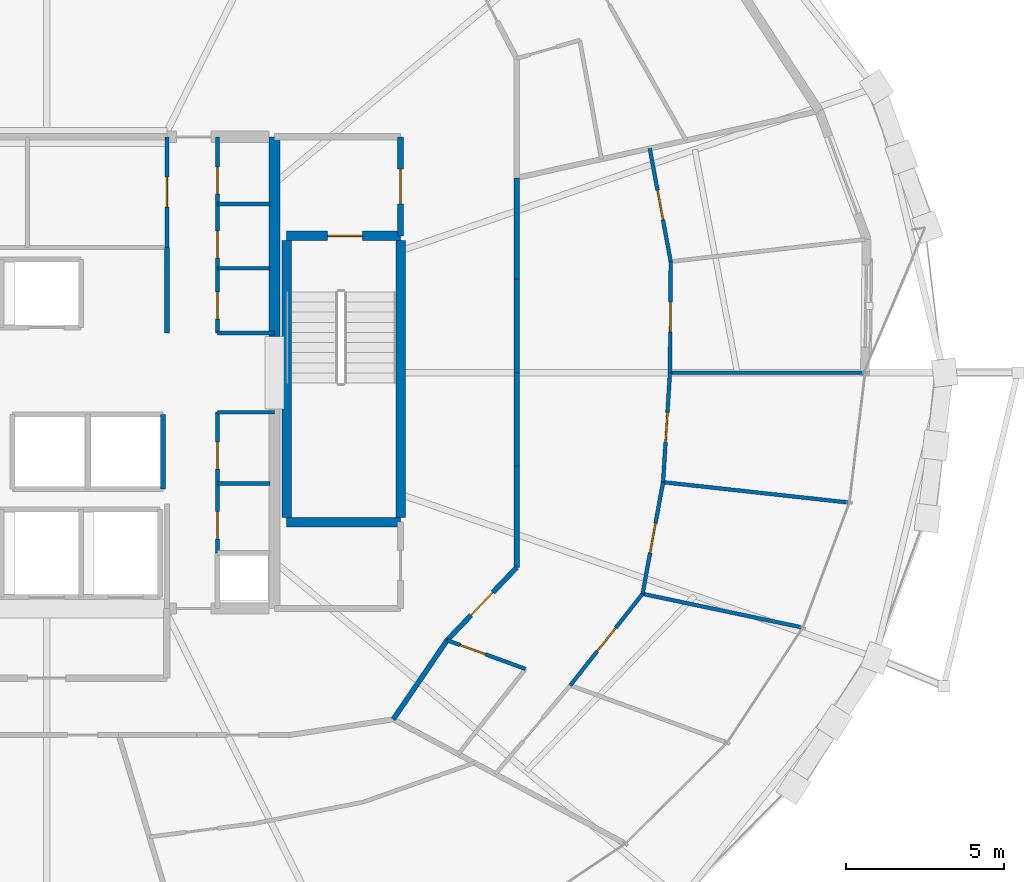
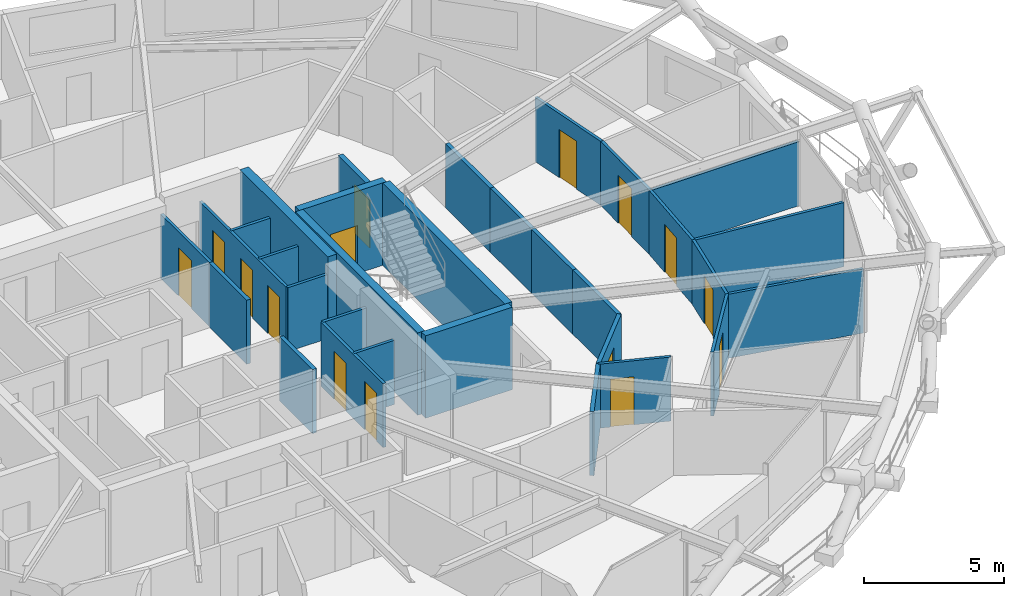
# One storey, part 17 of 22: 31 walls, 15 doors, 15 openings.
"""IFC4 building model written with IfcOpenShell, lengths in metres."""

from ifc_helpers import new_model, si_unit, direction, frame, frame_2d, origin, place, context, subcontext, project, spatial, rectangle, extrude, material, layer, layer_set, type_object, element, fill, save


model = new_model("IFC4")

# Units and contexts
model_context = context("Model", 3, precision=1e-05, world=origin(), true_north=direction((0.0, 1.0)))
body_context = subcontext(model_context, "Body", "Model", "MODEL_VIEW")
ifc_project = project(units=[si_unit("LENGTHUNIT", "METRE"), si_unit("AREAUNIT", "SQUARE_METRE"), si_unit("VOLUMEUNIT", "CUBIC_METRE"), si_unit("PLANEANGLEUNIT", "RADIAN"), si_unit("MASSUNIT", "GRAM", prefix="KILO")], contexts=[model_context])

# Site, building, storey
site_placement = place(None, origin())
site = spatial("IfcSite", under=ifc_project, at=site_placement, CompositionType="ELEMENT")
building_placement = place(site_placement, origin())
building = spatial("IfcBuilding", under=site, at=building_placement, Name="Veldorina Hangang Commons", CompositionType="ELEMENT")
storey_placement = place(building_placement, frame((0.0, 0.0, 146.0)))
storey = spatial("IfcBuildingStorey", under=building, at=storey_placement, Name="L37", CompositionType="ELEMENT", Elevation=146.0)

# Walls
ifc_material_1 = material(Name="Concrete C60/75", Category="concrete")
ifc_layer_1 = layer(ifc_material_1, 0.360107421875)
ifc_layer_set_1 = layer_set([ifc_layer_1], Name="Concrete C60/75")
wall_type_1 = type_object("IfcWallType", Name="CW-RC360-C60", PredefinedType="SHEAR", material=ifc_layer_set_1)
wall_1_placement = place(storey_placement, frame((39.199951171875, 25.14990234375, 0.0), z_axis=(0.0, 0.0, 1.0), x_axis=(0.0, 1.0, 0.0)))
element("IfcWall", 1, at=wall_1_placement, inside=storey, type_object=wall_type_1, Name="L37 E north core shear wall", PredefinedType="SHEAR", context=body_context, shape_type="SweptSolid", body=[
    extrude(rectangle(XDim=6.300048828125, YDim=0.360107421875, at=frame_2d((3.14990234375, 0.0))), origin(), (0.0, 0.0, 1.0), 3.60009765625),
])
ifc_material_2 = material(Name="Concrete C50/60", Category="concrete")
ifc_layer_2 = layer(ifc_material_2, 0.300048828125)
ifc_layer_set_2 = layer_set([ifc_layer_2], Name="Concrete C50/60")
wall_type_2 = type_object("IfcWallType", Name="SW-STAIR-300", PredefinedType="SHEAR", material=ifc_layer_set_2)
for number, where, z_axis, x_axis, name in (
    (2, (43.179931640625, 19.429931640625, 0.0), (0.0, 0.0, 1.0), (0.0, 1.0, 0.0), "L37 ST2 outer stair shear wall"),
    (3, (39.580078125, 19.429931640625, 0.0), (0.0, 0.0, 1.0), (0.0, 1.0, 0.0), "L37 ST2 inner stair shear wall"),
):
    element("IfcWall", number, at=place(storey_placement, frame(where, z_axis=z_axis, x_axis=x_axis)), inside=storey, type_object=wall_type_2, Name=name, PredefinedType="SHEAR", context=body_context, shape_type="SweptSolid", body=[
        extrude(rectangle(XDim=8.739990234375, YDim=0.300048828125, at=frame_2d((4.3701171875, 0.0))), origin(), (0.0, 0.0, 1.0), 3.60009765625),
    ])
wall_2_placement = place(storey_placement, frame((39.580078125, 19.280029296875, 0.0), z_axis=(0.0, 0.0, 1.0), x_axis=(1.0, 0.0, 0.0)))
element("IfcWall", 4, at=wall_2_placement, inside=storey, type_object=wall_type_2, Name="L37 ST2 south stair shear wall", PredefinedType="SHEAR", context=body_context, shape_type="SweptSolid", body=[
    extrude(rectangle(XDim=3.599853515625, YDim=0.300048828125, at=frame_2d((1.7998046875, 0.0))), origin(), (0.0, 0.0, 1.0), 3.60009765625),
])

# Wall, opening, door
wall_3_placement = place(storey_placement, frame((39.580078125, 28.320068359375, 0.0), z_axis=(0.0, 0.0, 1.0), x_axis=(1.0, 0.0, 0.0)))
wall_3 = element("IfcWall", 5, at=wall_3_placement, inside=storey, type_object=wall_type_2, Name="L37 ST2 north stair shear wall", PredefinedType="SHEAR", context=body_context, shape_type="SweptSolid", body=[
    extrude(rectangle(XDim=3.599853515625, YDim=0.300048828125, at=frame_2d((1.7998046875, 0.0))), origin(), (0.0, 0.0, 1.0), 3.60009765625),
])
opening_1_placement = place(wall_3_placement, frame((1.300048828125, 0.0, 0.0)))
opening_1 = element("IfcOpeningElement", 6, at=opening_1_placement, cuts=wall_3, Name="Opening D-08", PredefinedType="OPENING", context=body_context, shape_type="SweptSolid", body=[
    extrude(rectangle(XDim=1.10009765625, YDim=2.10009765625, at=frame_2d((0.550048828125, 1.050048828125))), frame((0.0, 0.16015625, 0.0), z_axis=(0.0, -1.0, 0.0), x_axis=(1.0, 0.0, 0.0)), (0.0, 0.0, 1.0), 0.320068359375),
])
ifc_material_3 = material(Name="Steel Fire-Rated Smoke Seal", Category="steel")
door_type_1 = type_object("IfcDoorType", Name="DR-FIRE-1100", OperationType="SINGLE_SWING_RIGHT", PredefinedType="DOOR", material=ifc_material_3)
door_1_placement = place(opening_1_placement, origin())
door_1 = element("IfcDoor", 7, at=door_1_placement, inside=storey, type_object=door_type_1, Name="L37 Special Escape Stair ST-2 door", OperationType="SINGLE_SWING_RIGHT", OverallHeight=2.10009765625, OverallWidth=1.10009765625, PredefinedType="DOOR", context=body_context, shape_type="SweptSolid", body=[
    extrude(rectangle(XDim=1.10009765625, YDim=2.10009765625, at=frame_2d((0.550048828125, 1.050048828125))), frame((0.0, 0.02490234375, 0.0), z_axis=(0.0, -1.0, 0.0), x_axis=(1.0, 0.0, 0.0)), (0.0, 0.0, 1.0), 0.050048828125),
])
fill(opening_1, door_1)

# Walls
ifc_material_4 = material(Name="Gypsum Fire-Rated Twin Stud Wall", Category="gypsum")
ifc_layer_3 = layer(ifc_material_4, 0.159912109375)
ifc_layer_set_3 = layer_set([ifc_layer_3], Name="Gypsum Fire-Rated Twin Stud Wall")
wall_type_3 = type_object("IfcWallType", Name="WL-FIRE-160", PredefinedType="SOLIDWALL", material=ifc_layer_set_3)
wall_4_placement = place(storey_placement, frame((35.800048828125, 25.25, 0.0), z_axis=(0.0, 0.0, 1.0), x_axis=(0.0, 1.0, 0.0)))
element("IfcWall", 8, at=wall_4_placement, inside=storey, type_object=wall_type_3, Name="L37 Lift passage NW lower wall 011", PredefinedType="SOLIDWALL", context=body_context, shape_type="SweptSolid", body=[
    extrude(rectangle(XDim=2.699951171875, YDim=0.159912109375, at=frame_2d((1.35009765625, 0.0))), origin(), (0.0, 0.0, 1.0), 2.800048828125),
])
wall_5_placement = place(storey_placement, frame((35.679931640625, 20.320068359375, 0.0), z_axis=(0.0, 0.0, 1.0), x_axis=(0.0, 1.0, 0.0)))
element("IfcWall", 9, at=wall_5_placement, inside=storey, type_object=wall_type_3, Name="L37 SL-2 east shaft wall 024", PredefinedType="SOLIDWALL", context=body_context, shape_type="SweptSolid", body=[
    extrude(rectangle(XDim=2.35986328125, YDim=0.159912109375, at=frame_2d((1.179931640625, 0.0))), origin(), (0.0, 0.0, 1.0), 2.800048828125),
])
wall_6_placement = place(storey_placement, frame((46.85009765625, 24.0, 0.0), z_axis=(0.0, 0.0, 1.0), x_axis=(0.0, 1.0, 0.0)))
element("IfcWall", 10, at=wall_6_placement, inside=storey, type_object=wall_type_3, Name="L37 U-corridor outer wall 00 050", PredefinedType="SOLIDWALL", context=body_context, shape_type="SweptSolid", body=[
    extrude(rectangle(XDim=2.953857421875, YDim=0.159912109375, at=frame_2d((1.47705078125, 0.0))), origin(), (0.0, 0.0, 1.0), 2.800048828125),
])
wall_7_placement = place(storey_placement, frame((46.85009765625, 26.953857421875, 0.0), z_axis=(0.0, 0.0, 1.0), x_axis=(0.0, 1.0, 0.0)))
element("IfcWall", 11, at=wall_7_placement, inside=storey, type_object=wall_type_3, Name="L37 U-corridor outer wall 01 051", PredefinedType="SOLIDWALL", context=body_context, shape_type="SweptSolid", body=[
    extrude(rectangle(XDim=3.197265625, YDim=0.159912109375, at=frame_2d((1.5986328125, 0.0))), origin(), (0.0, 0.0, 1.0), 2.800048828125),
])
wall_8_placement = place(storey_placement, frame((42.949951171875, 13.050048828125, 0.0), z_axis=(0.0, 0.0, 1.0), x_axis=(0.562674669208, 0.826678423955, 0.0)))
element("IfcWall", 12, at=wall_8_placement, inside=storey, type_object=wall_type_3, Name="L37 U-corridor outer wall 28 078", PredefinedType="SOLIDWALL", context=body_context, shape_type="SweptSolid", body=[
    extrude(rectangle(XDim=3.021240234375, YDim=0.159912109375, at=frame_2d((1.5107421875, 0.0))), origin(), (0.0, 0.0, 1.0), 2.800048828125),
])

# Wall, opening, door
wall_9_placement = place(storey_placement, frame((44.64990234375, 15.547607421875, 0.0), z_axis=(0.0, 0.0, 1.0), x_axis=(0.691055487108, 0.722801711216, 0.0)))
wall_9 = element("IfcWall", 13, at=wall_9_placement, inside=storey, type_object=wall_type_3, Name="L37 U-corridor outer wall 29 079", PredefinedType="SOLIDWALL", context=body_context, shape_type="SweptSolid", body=[
    extrude(rectangle(XDim=3.183837890625, YDim=0.159912109375, at=frame_2d((1.591796875, 0.0))), origin(), (0.0, 0.0, 1.0), 2.800048828125),
])
opening_2_placement = place(wall_9_placement, frame((1.091796875, 0.0, 0.0)))
opening_2 = element("IfcOpeningElement", 14, at=opening_2_placement, cuts=wall_9, Name="Opening D-06", PredefinedType="OPENING", context=body_context, shape_type="SweptSolid", body=[
    extrude(rectangle(XDim=1.0, YDim=2.10009765625, at=frame_2d((0.5, 1.050048828125))), frame((0.0, 0.08984375, 0.0), z_axis=(0.0, -1.0, 0.0), x_axis=(1.0, 0.0, 0.0)), (0.0, 0.0, 1.0), 0.179931640625),
])
ifc_material_5 = material(Name="Timber Fire-Rated Entrance Core", Category="wood")
door_type_2 = type_object("IfcDoorType", Name="DR-UNIT-1000", OperationType="SINGLE_SWING_LEFT", PredefinedType="DOOR", material=ifc_material_5)
door_2_placement = place(opening_2_placement, origin())
door_2 = element("IfcDoor", 15, at=door_2_placement, inside=storey, type_object=door_type_2, Name="L37 Cluster 2 entrance door 025", OperationType="SINGLE_SWING_LEFT", OverallHeight=2.10009765625, OverallWidth=1.0, PredefinedType="DOOR", context=body_context, shape_type="SweptSolid", body=[
    extrude(rectangle(XDim=1.0, YDim=2.10009765625, at=frame_2d((0.5, 1.050048828125))), frame((0.0, 0.02490234375, 0.0), z_axis=(0.0, -1.0, 0.0), x_axis=(1.0, 0.0, 0.0)), (0.0, 0.0, 1.0), 0.050048828125),
])
fill(opening_2, door_2)

# Walls
wall_10_placement = place(storey_placement, frame((46.85009765625, 17.848876953125, 0.0), z_axis=(0.0, 0.0, 1.0), x_axis=(0.0, 1.0, 0.0)))
element("IfcWall", 16, at=wall_10_placement, inside=storey, type_object=wall_type_3, Name="L37 U-corridor outer wall 30 080", PredefinedType="SOLIDWALL", context=body_context, shape_type="SweptSolid", body=[
    extrude(rectangle(XDim=3.197265625, YDim=0.159912109375, at=frame_2d((1.5986328125, 0.0))), origin(), (0.0, 0.0, 1.0), 2.800048828125),
])
wall_11_placement = place(storey_placement, frame((46.85009765625, 21.046142578125, 0.0), z_axis=(0.0, 0.0, 1.0), x_axis=(0.0, 1.0, 0.0)))
element("IfcWall", 17, at=wall_11_placement, inside=storey, type_object=wall_type_3, Name="L37 U-corridor outer wall 31 081", PredefinedType="SOLIDWALL", context=body_context, shape_type="SweptSolid", body=[
    extrude(rectangle(XDim=2.953857421875, YDim=0.159912109375, at=frame_2d((1.47705078125, 0.0))), origin(), (0.0, 0.0, 1.0), 2.800048828125),
])

# Wall, opening, door
ifc_material_6 = material(Name="Concrete Blockwork Fire Wall C30/37", Category="masonry")
ifc_layer_4 = layer(ifc_material_6, 0.199951171875)
ifc_layer_set_4 = layer_set([ifc_layer_4], Name="Concrete Blockwork Fire Wall C30/37")
wall_type_4 = type_object("IfcWallType", Name="WL-FIRE-200", PredefinedType="SOLIDWALL", material=ifc_layer_set_4)
wall_12_placement = place(storey_placement, frame((43.179931640625, 28.320068359375, 0.0), z_axis=(0.0, 0.0, 1.0), x_axis=(0.0, 1.0, 0.0)))
wall_12 = element("IfcWall", 18, at=wall_12_placement, inside=storey, type_object=wall_type_4, Name="L37 East vestibule outer wall 003", PredefinedType="SOLIDWALL", context=body_context, shape_type="SweptSolid", body=[
    extrude(rectangle(XDim=3.1298828125, YDim=0.199951171875, at=frame_2d((1.56494140625, 0.0))), origin(), (0.0, 0.0, 1.0), 2.800048828125),
])
opening_3_placement = place(wall_12_placement, frame((1.014892578125, 0.0, 0.0)))
opening_3 = element("IfcOpeningElement", 19, at=opening_3_placement, cuts=wall_12, Name="Opening D-08", PredefinedType="OPENING", context=body_context, shape_type="SweptSolid", body=[
    extrude(rectangle(XDim=1.10009765625, YDim=2.10009765625, at=frame_2d((0.550048828125, 1.050048828125))), frame((0.0, 0.10986328125, 0.0), z_axis=(0.0, -1.0, 0.0), x_axis=(1.0, 0.0, 0.0)), (0.0, 0.0, 1.0), 0.219970703125),
])
door_3_placement = place(opening_3_placement, origin())
door_3 = element("IfcDoor", 20, at=door_3_placement, inside=storey, type_object=door_type_1, Name="L37 East vestibule east door 002", OperationType="SINGLE_SWING_RIGHT", OverallHeight=2.10009765625, OverallWidth=1.10009765625, PredefinedType="DOOR", context=body_context, shape_type="SweptSolid", body=[
    extrude(rectangle(XDim=1.10009765625, YDim=2.10009765625, at=frame_2d((0.550048828125, 1.050048828125))), frame((0.0, 0.02490234375, 0.0), z_axis=(0.0, -1.0, 0.0), x_axis=(1.0, 0.0, 0.0)), (0.0, 0.0, 1.0), 0.050048828125),
])
fill(opening_3, door_3)

ifc_material_7 = material(Name="Gypsum Acoustic Stud Partition", Category="gypsum")
ifc_layer_5 = layer(ifc_material_7, 0.1201171875)
ifc_layer_set_5 = layer_set([ifc_layer_5], Name="Gypsum Acoustic Stud Partition")
wall_type_5 = type_object("IfcWallType", Name="WL-PART-120", PredefinedType="PARTITIONING", material=ifc_layer_set_5)
wall_13_placement = place(storey_placement, frame((35.800048828125, 27.949951171875, 0.0), z_axis=(0.0, 0.0, 1.0), x_axis=(0.0, 1.0, 0.0)))
wall_13 = element("IfcWall", 21, at=wall_13_placement, inside=storey, type_object=wall_type_5, Name="L37 Merged north east wall 033", PredefinedType="PARTITIONING", context=body_context, shape_type="SweptSolid", body=[
    extrude(rectangle(XDim=3.5, YDim=0.1201171875, at=frame_2d((1.75, 0.0))), origin(), (0.0, 0.0, 1.0), 2.800048828125),
])
opening_4_placement = place(wall_13_placement, frame((1.27490234375, 0.0, 0.0)))
opening_4 = element("IfcOpeningElement", 22, at=opening_4_placement, cuts=wall_13, Name="Opening D-02", PredefinedType="OPENING", context=body_context, shape_type="SweptSolid", body=[
    extrude(rectangle(XDim=0.949951171875, YDim=2.10009765625, at=frame_2d((0.47509765625, 1.050048828125))), frame((0.0, 0.070068359375, 0.0), z_axis=(0.0, -1.0, 0.0), x_axis=(1.0, 0.0, 0.0)), (0.0, 0.0, 1.0), 0.14013671875),
])
ifc_material_8 = material(Name="Timber Solid Core Acoustic", Category="wood")
door_type_3 = type_object("IfcDoorType", Name="DR-INT-950", OperationType="SINGLE_SWING_LEFT", PredefinedType="DOOR", material=ifc_material_8)
door_4_placement = place(opening_4_placement, origin())
door_4 = element("IfcDoor", 23, at=door_4_placement, inside=storey, type_object=door_type_3, Name="L37 Core linen store door 012", OperationType="SINGLE_SWING_RIGHT", OverallHeight=2.10009765625, OverallWidth=0.949951171875, PredefinedType="DOOR", context=body_context, shape_type="SweptSolid", body=[
    extrude(rectangle(XDim=0.949951171875, YDim=2.10009765625, at=frame_2d((0.47509765625, 1.050048828125))), frame((0.0, 0.02490234375, 0.0), z_axis=(0.0, -1.0, 0.0), x_axis=(1.0, 0.0, 0.0)), (0.0, 0.0, 1.0), 0.050048828125),
])
fill(opening_4, door_4)

# Wall, openings, doors
wall_14_placement = place(storey_placement, frame((37.39990234375, 25.25, 0.0), z_axis=(0.0, 0.0, 1.0), x_axis=(0.0, 1.0, 0.0)))
wall_14 = element("IfcWall", 24, at=wall_14_placement, inside=storey, type_object=wall_type_5, Name="L37 NE strip lobby wall 041", PredefinedType="PARTITIONING", context=body_context, shape_type="SweptSolid", body=[
    extrude(rectangle(XDim=6.199951171875, YDim=0.1201171875, at=frame_2d((3.10009765625, 0.0))), origin(), (0.0, 0.0, 1.0), 2.800048828125),
])
opening_5_placement = place(wall_14_placement, frame((0.43994140625, 0.0, 0.0)))
opening_5 = element("IfcOpeningElement", 25, at=opening_5_placement, cuts=wall_14, Name="Opening D-01", PredefinedType="OPENING", context=body_context, shape_type="SweptSolid", body=[
    extrude(rectangle(XDim=0.860107421875, YDim=2.10009765625, at=frame_2d((0.43017578125, 1.050048828125))), frame((0.0, 0.070068359375, 0.0), z_axis=(0.0, -1.0, 0.0), x_axis=(1.0, 0.0, 0.0)), (0.0, 0.0, 1.0), 0.14013671875),
])
opening_6_placement = place(wall_14_placement, frame((2.3701171875, 0.0, 0.0)))
opening_6 = element("IfcOpeningElement", 26, at=opening_6_placement, cuts=wall_14, Name="Opening D-01", PredefinedType="OPENING", context=body_context, shape_type="SweptSolid", body=[
    extrude(rectangle(XDim=0.860107421875, YDim=2.10009765625, at=frame_2d((0.43017578125, 1.050048828125))), frame((0.0, 0.070068359375, 0.0), z_axis=(0.0, -1.0, 0.0), x_axis=(1.0, 0.0, 0.0)), (0.0, 0.0, 1.0), 0.14013671875),
])
opening_7_placement = place(wall_14_placement, frame((4.389892578125, 0.0, 0.0)))
opening_7 = element("IfcOpeningElement", 27, at=opening_7_placement, cuts=wall_14, Name="Opening D-01", PredefinedType="OPENING", context=body_context, shape_type="SweptSolid", body=[
    extrude(rectangle(XDim=0.860107421875, YDim=2.10009765625, at=frame_2d((0.43017578125, 1.050048828125))), frame((0.0, 0.070068359375, 0.0), z_axis=(0.0, -1.0, 0.0), x_axis=(1.0, 0.0, 0.0)), (0.0, 0.0, 1.0), 0.14013671875),
])
ifc_material_9 = material(Name="Timber Moisture-Resistant Core", Category="wood")
door_type_4 = type_object("IfcDoorType", Name="DR-WET-860", OperationType="SINGLE_SWING_LEFT", PredefinedType="DOOR", material=ifc_material_9)
door_5_placement = place(opening_5_placement, origin())
door_5 = element("IfcDoor", 28, at=door_5_placement, inside=storey, type_object=door_type_4, Name="L37 Fiber Riser Closet door 017", OperationType="SINGLE_SWING_LEFT", OverallHeight=2.10009765625, OverallWidth=0.860107421875, PredefinedType="DOOR", context=body_context, shape_type="SweptSolid", body=[
    extrude(rectangle(XDim=0.860107421875, YDim=2.10009765625, at=frame_2d((0.43017578125, 1.050048828125))), frame((0.0, 0.02490234375, 0.0), z_axis=(0.0, -1.0, 0.0), x_axis=(1.0, 0.0, 0.0)), (0.0, 0.0, 1.0), 0.050048828125),
])
fill(opening_5, door_5)
door_6_placement = place(opening_6_placement, origin())
door_6 = element("IfcDoor", 29, at=door_6_placement, inside=storey, type_object=door_type_4, Name="L37 AV Rack Closet door 018", OperationType="SINGLE_SWING_RIGHT", OverallHeight=2.10009765625, OverallWidth=0.860107421875, PredefinedType="DOOR", context=body_context, shape_type="SweptSolid", body=[
    extrude(rectangle(XDim=0.860107421875, YDim=2.10009765625, at=frame_2d((0.43017578125, 1.050048828125))), frame((0.0, 0.02490234375, 0.0), z_axis=(0.0, -1.0, 0.0), x_axis=(1.0, 0.0, 0.0)), (0.0, 0.0, 1.0), 0.050048828125),
])
fill(opening_6, door_6)
door_7_placement = place(opening_7_placement, origin())
door_7 = element("IfcDoor", 30, at=door_7_placement, inside=storey, type_object=door_type_4, Name="L37 Supply Closet door 019", OperationType="SINGLE_SWING_LEFT", OverallHeight=2.10009765625, OverallWidth=0.860107421875, PredefinedType="DOOR", context=body_context, shape_type="SweptSolid", body=[
    extrude(rectangle(XDim=0.860107421875, YDim=2.10009765625, at=frame_2d((0.43017578125, 1.050048828125))), frame((0.0, 0.02490234375, 0.0), z_axis=(0.0, -1.0, 0.0), x_axis=(1.0, 0.0, 0.0)), (0.0, 0.0, 1.0), 0.050048828125),
])
fill(opening_7, door_7)

# Wall
wall_15_placement = place(storey_placement, frame((37.39990234375, 25.25, 0.0), z_axis=(0.0, 0.0, 1.0), x_axis=(1.0, 0.0, 0.0)))
element("IfcWall", 31, at=wall_15_placement, inside=storey, type_object=wall_type_5, Name="L37 NE strip south return wall 042", PredefinedType="PARTITIONING", context=body_context, shape_type="SweptSolid", body=[
    extrude(rectangle(XDim=1.800048828125, YDim=0.1201171875, at=frame_2d((0.89990234375, 0.0))), origin(), (0.0, 0.0, 1.0), 2.800048828125),
])

# Wall, openings, doors
wall_16_placement = place(storey_placement, frame((37.39990234375, 18.300048828125, 0.0), z_axis=(0.0, 0.0, 1.0), x_axis=(0.0, 1.0, 0.0)))
wall_16 = element("IfcWall", 32, at=wall_16_placement, inside=storey, type_object=wall_type_5, Name="L37 SE strip lobby wall 043", PredefinedType="PARTITIONING", context=body_context, shape_type="SweptSolid", body=[
    extrude(rectangle(XDim=4.449951171875, YDim=0.1201171875, at=frame_2d((2.22509765625, 0.0))), origin(), (0.0, 0.0, 1.0), 2.800048828125),
])
opening_8_placement = place(wall_16_placement, frame((0.449951171875, 0.0, 0.0)))
opening_8 = element("IfcOpeningElement", 33, at=opening_8_placement, cuts=wall_16, Name="Opening D-01", PredefinedType="OPENING", context=body_context, shape_type="SweptSolid", body=[
    extrude(rectangle(XDim=0.860107421875, YDim=2.10009765625, at=frame_2d((0.43017578125, 1.050048828125))), frame((0.0, 0.070068359375, 0.0), z_axis=(0.0, -1.0, 0.0), x_axis=(1.0, 0.0, 0.0)), (0.0, 0.0, 1.0), 0.14013671875),
])
opening_9_placement = place(wall_16_placement, frame((2.64990234375, 0.0, 0.0)))
opening_9 = element("IfcOpeningElement", 34, at=opening_9_placement, cuts=wall_16, Name="Opening D-01", PredefinedType="OPENING", context=body_context, shape_type="SweptSolid", body=[
    extrude(rectangle(XDim=0.860107421875, YDim=2.10009765625, at=frame_2d((0.43017578125, 1.050048828125))), frame((0.0, 0.070068359375, 0.0), z_axis=(0.0, -1.0, 0.0), x_axis=(1.0, 0.0, 0.0)), (0.0, 0.0, 1.0), 0.14013671875),
])
door_8_placement = place(opening_8_placement, origin())
door_8 = element("IfcDoor", 35, at=door_8_placement, inside=storey, type_object=door_type_4, Name="L37 Janitor sink door 020", OperationType="SINGLE_SWING_RIGHT", OverallHeight=2.10009765625, OverallWidth=0.860107421875, PredefinedType="DOOR", context=body_context, shape_type="SweptSolid", body=[
    extrude(rectangle(XDim=0.860107421875, YDim=2.10009765625, at=frame_2d((0.43017578125, 1.050048828125))), frame((0.0, 0.02490234375, 0.0), z_axis=(0.0, -1.0, 0.0), x_axis=(1.0, 0.0, 0.0)), (0.0, 0.0, 1.0), 0.050048828125),
])
fill(opening_8, door_8)
door_9_placement = place(opening_9_placement, origin())
door_9 = element("IfcDoor", 36, at=door_9_placement, inside=storey, type_object=door_type_4, Name="L37 Fire panel door 021", OperationType="SINGLE_SWING_LEFT", OverallHeight=2.10009765625, OverallWidth=0.860107421875, PredefinedType="DOOR", context=body_context, shape_type="SweptSolid", body=[
    extrude(rectangle(XDim=0.860107421875, YDim=2.10009765625, at=frame_2d((0.43017578125, 1.050048828125))), frame((0.0, 0.02490234375, 0.0), z_axis=(0.0, -1.0, 0.0), x_axis=(1.0, 0.0, 0.0)), (0.0, 0.0, 1.0), 0.050048828125),
])
fill(opening_9, door_9)

# Walls
wall_17_placement = place(storey_placement, frame((37.39990234375, 22.75, 0.0), z_axis=(0.0, 0.0, 1.0), x_axis=(1.0, 0.0, 0.0)))
element("IfcWall", 37, at=wall_17_placement, inside=storey, type_object=wall_type_5, Name="L37 SE strip north return wall 044", PredefinedType="PARTITIONING", context=body_context, shape_type="SweptSolid", body=[
    extrude(rectangle(XDim=1.800048828125, YDim=0.1201171875, at=frame_2d((0.89990234375, 0.0))), origin(), (0.0, 0.0, 1.0), 2.800048828125),
])
for number, where, z_axis, x_axis, name in (
    (38, (37.39990234375, 27.300048828125, 0.0), (0.0, 0.0, 1.0), (1.0, 0.0, 0.0), "L37 NE split 1 047"),
    (39, (37.39990234375, 29.330078125, 0.0), (0.0, 0.0, 1.0), (1.0, 0.0, 0.0), "L37 NE split 2 048"),
    (40, (37.39990234375, 20.5, 0.0), (0.0, 0.0, 1.0), (1.0, 0.0, 0.0), "L37 SE horizontal split 049"),
):
    element("IfcWall", number, at=place(storey_placement, frame(where, z_axis=z_axis, x_axis=x_axis)), inside=storey, type_object=wall_type_5, Name=name, PredefinedType="PARTITIONING", context=body_context, shape_type="SweptSolid", body=[
        extrude(rectangle(XDim=1.650146484375, YDim=0.1201171875, at=frame_2d((0.8251953125, 0.0))), origin(), (0.0, 0.0, 1.0), 2.800048828125),
    ])

# Wall, opening, door
wall_18_placement = place(storey_placement, frame((44.64990234375, 15.547607421875, 0.0), z_axis=(0.0, 0.0, 1.0), x_axis=(0.93908860173, -0.343675134538, 0.0)))
wall_18 = element("IfcWall", 41, at=wall_18_placement, inside=storey, type_object=wall_type_5, Name="L37 Cluster 2 bath side wall 088", PredefinedType="PARTITIONING", context=body_context, shape_type="SweptSolid", body=[
    extrude(rectangle(XDim=2.636962890625, YDim=0.1201171875, at=frame_2d((1.318359375, 0.0))), origin(), (0.0, 0.0, 1.0), 2.800048828125),
])
opening_10_placement = place(wall_18_placement, frame((0.43994140625, 0.0, 0.0)))
opening_10 = element("IfcOpeningElement", 42, at=opening_10_placement, cuts=wall_18, Name="Opening D-01", PredefinedType="OPENING", context=body_context, shape_type="SweptSolid", body=[
    extrude(rectangle(XDim=0.860107421875, YDim=2.10009765625, at=frame_2d((0.43017578125, 1.050048828125))), frame((0.0, 0.070068359375, 0.0), z_axis=(0.0, -1.0, 0.0), x_axis=(1.0, 0.0, 0.0)), (0.0, 0.0, 1.0), 0.14013671875),
])
door_10_placement = place(opening_10_placement, origin())
door_10 = element("IfcDoor", 43, at=door_10_placement, inside=storey, type_object=door_type_4, Name="L37 Cluster 2 shared bathroom door 024", OperationType="SINGLE_SWING_RIGHT", OverallHeight=2.10009765625, OverallWidth=0.860107421875, PredefinedType="DOOR", context=body_context, shape_type="SweptSolid", body=[
    extrude(rectangle(XDim=0.860107421875, YDim=2.10009765625, at=frame_2d((0.43017578125, 1.050048828125))), frame((0.0, 0.02490234375, 0.0), z_axis=(0.0, -1.0, 0.0), x_axis=(1.0, 0.0, 0.0)), (0.0, 0.0, 1.0), 0.050048828125),
])
fill(opening_10, door_10)

wall_19_placement = place(storey_placement, frame((48.541259765625, 14.12353515625, 0.0), z_axis=(0.0, 0.0, 1.0), x_axis=(0.620026847561, 0.784580593887, 0.0)))
wall_19 = element("IfcWall", 44, at=wall_19_placement, inside=storey, type_object=wall_type_5, Name="L37 Cluster 2 bed 2 front wall 090", PredefinedType="PARTITIONING", context=body_context, shape_type="SweptSolid", body=[
    extrude(rectangle(XDim=3.682373046875, YDim=0.1201171875, at=frame_2d((1.84130859375, 0.0))), origin(), (0.0, 0.0, 1.0), 2.800048828125),
])
opening_11_placement = place(wall_19_placement, frame((1.3662109375, 0.0, 0.0)))
opening_11 = element("IfcOpeningElement", 45, at=opening_11_placement, cuts=wall_19, Name="Opening D-02", PredefinedType="OPENING", context=body_context, shape_type="SweptSolid", body=[
    extrude(rectangle(XDim=0.949951171875, YDim=2.10009765625, at=frame_2d((0.47509765625, 1.050048828125))), frame((0.0, 0.070068359375, 0.0), z_axis=(0.0, -1.0, 0.0), x_axis=(1.0, 0.0, 0.0)), (0.0, 0.0, 1.0), 0.14013671875),
])
door_11_placement = place(opening_11_placement, origin())
door_11 = element("IfcDoor", 46, at=door_11_placement, inside=storey, type_object=door_type_3, Name="L37 Cluster 2 bed 2 door 027", OperationType="SINGLE_SWING_LEFT", OverallHeight=2.10009765625, OverallWidth=0.949951171875, PredefinedType="DOOR", context=body_context, shape_type="SweptSolid", body=[
    extrude(rectangle(XDim=0.949951171875, YDim=2.10009765625, at=frame_2d((0.47509765625, 1.050048828125))), frame((0.0, 0.02490234375, 0.0), z_axis=(0.0, -1.0, 0.0), x_axis=(1.0, 0.0, 0.0)), (0.0, 0.0, 1.0), 0.050048828125),
])
fill(opening_11, door_11)

wall_20_placement = place(storey_placement, frame((50.824462890625, 17.0126953125, 0.0), z_axis=(0.0, 0.0, 1.0), x_axis=(0.180484851733, 0.983577764234, 0.0)))
wall_20 = element("IfcWall", 47, at=wall_20_placement, inside=storey, type_object=wall_type_5, Name="L37 Cluster 2 bed 3 front wall 092", PredefinedType="PARTITIONING", context=body_context, shape_type="SweptSolid", body=[
    extrude(rectangle(XDim=3.5859375, YDim=0.1201171875, at=frame_2d((1.79296875, 0.0))), origin(), (0.0, 0.0, 1.0), 2.800048828125),
])
opening_12_placement = place(wall_20_placement, frame((1.318115234375, 0.0, 0.0)))
opening_12 = element("IfcOpeningElement", 48, at=opening_12_placement, cuts=wall_20, Name="Opening D-02", PredefinedType="OPENING", context=body_context, shape_type="SweptSolid", body=[
    extrude(rectangle(XDim=0.949951171875, YDim=2.10009765625, at=frame_2d((0.47509765625, 1.050048828125))), frame((0.0, 0.070068359375, 0.0), z_axis=(0.0, -1.0, 0.0), x_axis=(1.0, 0.0, 0.0)), (0.0, 0.0, 1.0), 0.14013671875),
])
door_12_placement = place(opening_12_placement, origin())
door_12 = element("IfcDoor", 49, at=door_12_placement, inside=storey, type_object=door_type_3, Name="L37 Cluster 2 bed 3 door 028", OperationType="SINGLE_SWING_RIGHT", OverallHeight=2.10009765625, OverallWidth=0.949951171875, PredefinedType="DOOR", context=body_context, shape_type="SweptSolid", body=[
    extrude(rectangle(XDim=0.949951171875, YDim=2.10009765625, at=frame_2d((0.47509765625, 1.050048828125))), frame((0.0, 0.02490234375, 0.0), z_axis=(0.0, -1.0, 0.0), x_axis=(1.0, 0.0, 0.0)), (0.0, 0.0, 1.0), 0.050048828125),
])
fill(opening_12, door_12)

# Wall
wall_21_placement = place(storey_placement, frame((50.824462890625, 17.0126953125, 0.0), z_axis=(0.0, 0.0, 1.0), x_axis=(0.978584181815, -0.2058470284, 0.0)))
element("IfcWall", 50, at=wall_21_placement, inside=storey, type_object=wall_type_5, Name="L37 Cluster 2 bed divider 2 093", PredefinedType="PARTITIONING", context=body_context, shape_type="SweptSolid", body=[
    extrude(rectangle(XDim=5.118896484375, YDim=0.1201171875, at=frame_2d((2.5595703125, 0.0))), origin(), (0.0, 0.0, 1.0), 2.800048828125),
])

# Wall, opening, door
wall_22_placement = place(storey_placement, frame((51.4716796875, 20.539794921875, 0.0), z_axis=(0.0, 0.0, 1.0), x_axis=(0.063022706804, 0.998012093327, 0.0)))
wall_22 = element("IfcWall", 51, at=wall_22_placement, inside=storey, type_object=wall_type_5, Name="L37 Cluster 2 bed 4 front wall 094", PredefinedType="PARTITIONING", context=body_context, shape_type="SweptSolid", body=[
    extrude(rectangle(XDim=3.467041015625, YDim=0.1201171875, at=frame_2d((1.7333984375, 0.0))), origin(), (0.0, 0.0, 1.0), 2.800048828125),
])
opening_13_placement = place(wall_22_placement, frame((1.258544921875, 0.0, 0.0)))
opening_13 = element("IfcOpeningElement", 52, at=opening_13_placement, cuts=wall_22, Name="Opening D-02", PredefinedType="OPENING", context=body_context, shape_type="SweptSolid", body=[
    extrude(rectangle(XDim=0.949951171875, YDim=2.10009765625, at=frame_2d((0.47509765625, 1.050048828125))), frame((0.0, 0.070068359375, 0.0), z_axis=(0.0, -1.0, 0.0), x_axis=(1.0, 0.0, 0.0)), (0.0, 0.0, 1.0), 0.14013671875),
])
door_13_placement = place(opening_13_placement, origin())
door_13 = element("IfcDoor", 53, at=door_13_placement, inside=storey, type_object=door_type_3, Name="L37 Cluster 2 bed 4 door 029", OperationType="SINGLE_SWING_LEFT", OverallHeight=2.10009765625, OverallWidth=0.949951171875, PredefinedType="DOOR", context=body_context, shape_type="SweptSolid", body=[
    extrude(rectangle(XDim=0.949951171875, YDim=2.10009765625, at=frame_2d((0.47509765625, 1.050048828125))), frame((0.0, 0.02490234375, 0.0), z_axis=(0.0, -1.0, 0.0), x_axis=(1.0, 0.0, 0.0)), (0.0, 0.0, 1.0), 0.050048828125),
])
fill(opening_13, door_13)

# Wall
wall_23_placement = place(storey_placement, frame((51.4716796875, 20.539794921875, 0.0), z_axis=(0.0, 0.0, 1.0), x_axis=(0.994053548393, -0.10889234559, 0.0)))
element("IfcWall", 54, at=wall_23_placement, inside=storey, type_object=wall_type_5, Name="L37 Cluster 2 bed divider 3 095", PredefinedType="PARTITIONING", context=body_context, shape_type="SweptSolid", body=[
    extrude(rectangle(XDim=5.867431640625, YDim=0.1201171875, at=frame_2d((2.93359375, 0.0))), origin(), (0.0, 0.0, 1.0), 2.800048828125),
])

# Wall, opening, door
wall_24_placement = place(storey_placement, frame((51.690185546875, 24.0, 0.0), z_axis=(0.0, 0.0, 1.0), x_axis=(0.006610850666, 0.999978148088, 0.0)))
wall_24 = element("IfcWall", 55, at=wall_24_placement, inside=storey, type_object=wall_type_5, Name="L37 Cluster 2 bed 5 front wall 096", PredefinedType="PARTITIONING", context=body_context, shape_type="SweptSolid", body=[
    extrude(rectangle(XDim=3.50830078125, YDim=0.1201171875, at=frame_2d((1.754150390625, 0.0))), origin(), (0.0, 0.0, 1.0), 2.800048828125),
])
opening_14_placement = place(wall_24_placement, frame((1.279296875, 0.0, 0.0)))
opening_14 = element("IfcOpeningElement", 56, at=opening_14_placement, cuts=wall_24, Name="Opening D-02", PredefinedType="OPENING", context=body_context, shape_type="SweptSolid", body=[
    extrude(rectangle(XDim=0.949951171875, YDim=2.10009765625, at=frame_2d((0.47509765625, 1.050048828125))), frame((0.0, 0.070068359375, 0.0), z_axis=(0.0, -1.0, 0.0), x_axis=(1.0, 0.0, 0.0)), (0.0, 0.0, 1.0), 0.14013671875),
])
door_14_placement = place(opening_14_placement, origin())
door_14 = element("IfcDoor", 57, at=door_14_placement, inside=storey, type_object=door_type_3, Name="L37 Cluster 2 bed 5 door 030", OperationType="SINGLE_SWING_RIGHT", OverallHeight=2.10009765625, OverallWidth=0.949951171875, PredefinedType="DOOR", context=body_context, shape_type="SweptSolid", body=[
    extrude(rectangle(XDim=0.949951171875, YDim=2.10009765625, at=frame_2d((0.47509765625, 1.050048828125))), frame((0.0, 0.02490234375, 0.0), z_axis=(0.0, -1.0, 0.0), x_axis=(1.0, 0.0, 0.0)), (0.0, 0.0, 1.0), 0.050048828125),
])
fill(opening_14, door_14)

# Wall
wall_25_placement = place(storey_placement, frame((51.690185546875, 24.0, 0.0), z_axis=(0.0, 0.0, 1.0), x_axis=(1.0, 0.0, 0.0)))
element("IfcWall", 58, at=wall_25_placement, inside=storey, type_object=wall_type_5, Name="L37 Cluster 2 bed divider 4 097", PredefinedType="PARTITIONING", context=body_context, shape_type="SweptSolid", body=[
    extrude(rectangle(XDim=6.1103515625, YDim=0.1201171875, at=frame_2d((3.05517578125, 0.0))), origin(), (0.0, 0.0, 1.0), 2.800048828125),
])

# Wall, opening, door
wall_26_placement = place(storey_placement, frame((51.71337890625, 27.50830078125, 0.0), z_axis=(0.0, 0.0, 1.0), x_axis=(-0.182000245683, 0.983298484984, 0.0)))
wall_26 = element("IfcWall", 59, at=wall_26_placement, inside=storey, type_object=wall_type_5, Name="L37 Cluster 2 bed 6 front wall 098", PredefinedType="PARTITIONING", context=body_context, shape_type="SweptSolid", body=[
    extrude(rectangle(XDim=3.634033203125, YDim=0.1201171875, at=frame_2d((1.81689453125, 0.0))), origin(), (0.0, 0.0, 1.0), 2.800048828125),
])
opening_15_placement = place(wall_26_placement, frame((1.342041015625, 0.0, 0.0)))
opening_15 = element("IfcOpeningElement", 60, at=opening_15_placement, cuts=wall_26, Name="Opening D-02", PredefinedType="OPENING", context=body_context, shape_type="SweptSolid", body=[
    extrude(rectangle(XDim=0.949951171875, YDim=2.10009765625, at=frame_2d((0.47509765625, 1.050048828125))), frame((0.0, 0.070068359375, 0.0), z_axis=(0.0, -1.0, 0.0), x_axis=(1.0, 0.0, 0.0)), (0.0, 0.0, 1.0), 0.14013671875),
])
door_15_placement = place(opening_15_placement, origin())
door_15 = element("IfcDoor", 61, at=door_15_placement, inside=storey, type_object=door_type_3, Name="L37 Cluster 2 bed 6 door 031", OperationType="SINGLE_SWING_LEFT", OverallHeight=2.10009765625, OverallWidth=0.949951171875, PredefinedType="DOOR", context=body_context, shape_type="SweptSolid", body=[
    extrude(rectangle(XDim=0.949951171875, YDim=2.10009765625, at=frame_2d((0.47509765625, 1.050048828125))), frame((0.0, 0.02490234375, 0.0), z_axis=(0.0, -1.0, 0.0), x_axis=(1.0, 0.0, 0.0)), (0.0, 0.0, 1.0), 0.050048828125),
])
fill(opening_15, door_15)

save(model, "model.ifc")
